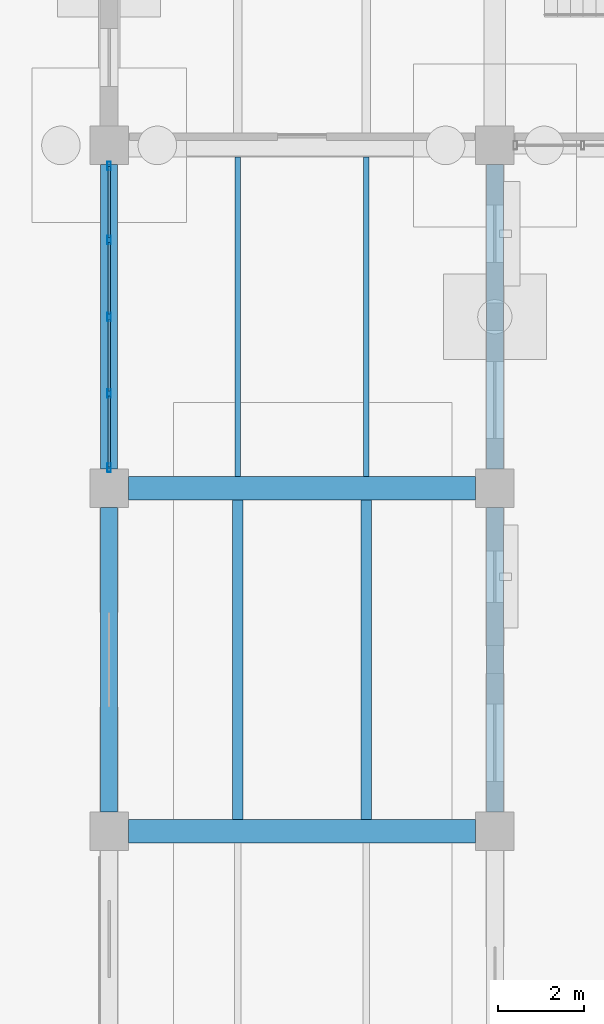
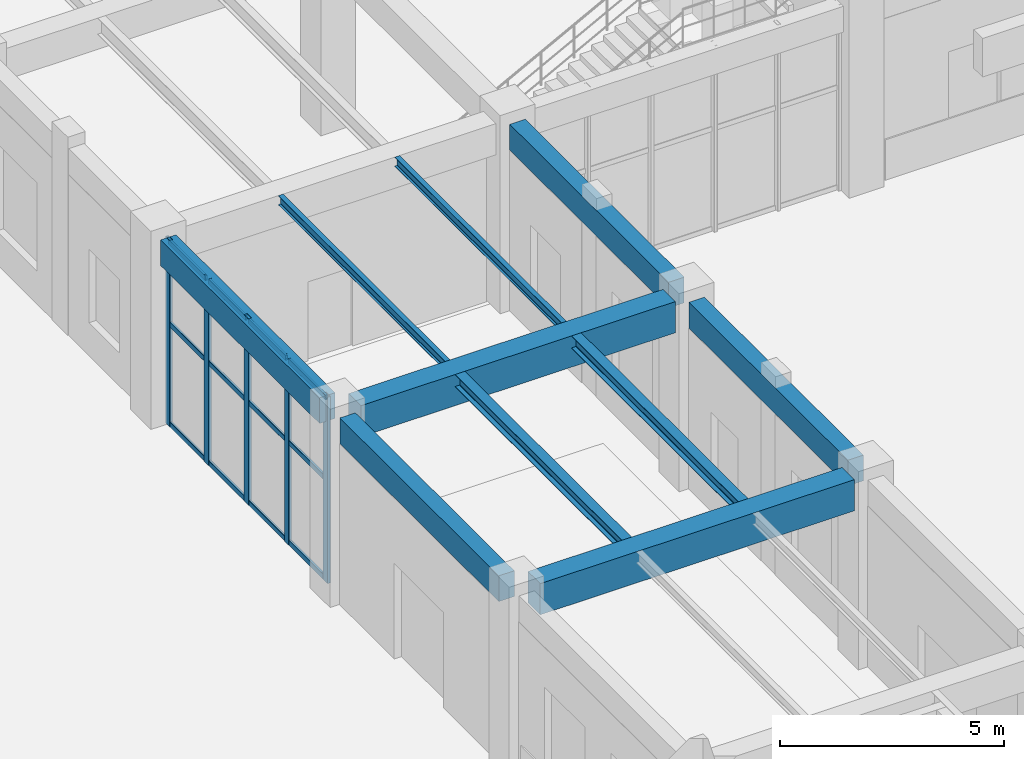
# One storey, part 47 of 121: 17 members, 10 beams, 1 element without a shape of its own.
"""IFC4 building model written with IfcOpenShell, lengths in metres."""

import ifcopenshell
import ifcopenshell.guid

model = None  # the IFC model being written
_history = None  # IfcOwnerHistory: only IFC2X3 demands one
_inside = {}  # id of a spatial element -> (the spatial element, [elements in it])
_under = {}  # id of a project, library or spatial element -> (it, [spatial elements below it])
_declared = {}  # id of a project -> (the project, [libraries it declares])
_typed = {}  # id of a type object -> (the type object, [elements of that type])
_made_of = {}  # id of a material, layer set ... -> (it, [elements and type objects made of it])


def new_model(schema):
    """Start an empty IFC model of exactly this schema.

    Asked for "IFC4X3", IfcOpenShell would pick the latest addendum, in which some entities
    have other attributes; the version numbers below select the first issue.
    IFC2X3 requires an IfcOwnerHistory on every rooted entity: one is made here for all.
    """
    global model, _history
    if schema == "IFC4X3":
        model = ifcopenshell.file(schema_version=(4, 3, 0, 0))
    else:
        model = ifcopenshell.file(schema=schema)
    _inside.clear()
    _under.clear()
    _declared.clear()
    _typed.clear()
    _made_of.clear()
    _history = None
    if model.schema == "IFC2X3":
        org = make("IfcOrganization", Name="unknown")
        user = make(
            "IfcPersonAndOrganization",
            ThePerson=make("IfcPerson", FamilyName="unknown"),
            TheOrganization=org,
        )
        app = make(
            "IfcApplication",
            ApplicationDeveloper=org,
            Version="unknown",
            ApplicationFullName="unknown",
            ApplicationIdentifier="unknown",
        )
        _history = make(
            "IfcOwnerHistory",
            OwningUser=user,
            OwningApplication=app,
            ChangeAction="ADDED",
            CreationDate=0,
        )
    return model


def make(cls, **values):
    """One entity of the class cls with the attributes given. An attribute that is None is left unset."""
    return model.create_entity(
        cls, **{name: value for name, value in values.items() if value is not None}
    )


def rooted(cls, **values):
    """An entity with a GlobalId (a new one), such as an element, a storey or a relation."""
    return make(cls, GlobalId=ifcopenshell.guid.new(), OwnerHistory=_history, **values)


def si_unit(unit_type, name, prefix=None):
    """IfcSIUnit, for example si_unit("LENGTHUNIT", "METRE", prefix="MILLI")."""
    return make("IfcSIUnit", UnitType=unit_type, Prefix=prefix, Name=name)


def derived_unit(unit_type, elements):
    """IfcDerivedUnit: a product of units, each with its exponent."""
    return make(
        "IfcDerivedUnit",
        Elements=[
            make("IfcDerivedUnitElement", Unit=unit, Exponent=power)
            for unit, power in elements
        ],
        UnitType=unit_type,
    )


def assignment(units):
    """IfcUnitAssignment: the units of a project."""
    return None if units is None else make("IfcUnitAssignment", Units=units)


def point(xyz):
    """IfcCartesianPoint."""
    return None if xyz is None else make("IfcCartesianPoint", Coordinates=xyz)


def direction(xyz):
    """IfcDirection."""
    return None if xyz is None else make("IfcDirection", DirectionRatios=xyz)


def frame(location, z_axis=None, x_axis=None):
    """IfcAxis2Placement3D, a coordinate frame: its origin and axes. An axis left out is left unset."""
    return make(
        "IfcAxis2Placement3D",
        Location=point(location),
        Axis=direction(z_axis),
        RefDirection=direction(x_axis),
    )


def frame_2d(location, x_axis=None):
    """IfcAxis2Placement2D, a coordinate frame in the plane: its origin and x axis."""
    return make(
        "IfcAxis2Placement2D", Location=point(location), RefDirection=direction(x_axis)
    )


def origin():
    """The frame at (0, 0, 0) with its axes left unset."""
    return frame((0.0, 0.0, 0.0))


def origin_2d():
    """The frame at (0, 0) in the plane with its x axis left unset."""
    return frame_2d((0.0, 0.0))


def place(relative_to, where):
    """IfcLocalPlacement: puts the frame where relative to a parent placement (None: the world)."""
    return make(
        "IfcLocalPlacement", PlacementRelTo=relative_to, RelativePlacement=where
    )


def context(
    kind, dimensions, precision=None, world=None, true_north=None, identifier=None
):
    """IfcGeometricRepresentationContext, for example the 3D "Model" context."""
    return make(
        "IfcGeometricRepresentationContext",
        ContextIdentifier=identifier,
        ContextType=kind,
        CoordinateSpaceDimension=dimensions,
        Precision=precision,
        WorldCoordinateSystem=world,
        TrueNorth=true_north,
    )


def subcontext(parent, identifier, kind, view, scale=None):
    """IfcGeometricRepresentationSubContext, for example "Body" below "Model"."""
    return make(
        "IfcGeometricRepresentationSubContext",
        ContextIdentifier=identifier,
        ContextType=kind,
        ParentContext=parent,
        TargetScale=scale,
        TargetView=view,
    )


def project(units=None, contexts=None):
    """IfcProject with its units and contexts."""
    return rooted(
        "IfcProject",
        Name="project",
        RepresentationContexts=contexts,
        UnitsInContext=assignment(units),
    )


def spatial(cls, under=None, at=None, **own):
    """A site, building, storey or space (cls), placed at a placement, below another one or the project."""
    s = rooted(cls, ObjectPlacement=at, **own)
    if under is not None:
        _under.setdefault(under.id(), (under, []))[1].append(s)
    return s


def profile(cls, at=None, kind="AREA", **sizes):
    """A parametric profile (cls). Its sizes go by their IFC names, for example OverallWidth=200.0."""
    return make(cls, ProfileType=kind, Position=at, **sizes)


def rectangle(**sizes):
    """IfcRectangleProfileDef."""
    return profile("IfcRectangleProfileDef", **sizes)


def hollow_rectangle(**sizes):
    """IfcRectangleHollowProfileDef."""
    return profile("IfcRectangleHollowProfileDef", **sizes)


def i_section(**sizes):
    """IfcIShapeProfileDef."""
    return profile("IfcIShapeProfileDef", **sizes)


def extrude(swept, where, along, depth):
    """IfcExtrudedAreaSolid: the profile swept, set in the frame where, extruded along a direction by depth."""
    return make(
        "IfcExtrudedAreaSolid",
        SweptArea=swept,
        Position=where,
        ExtrudedDirection=direction(along),
        Depth=depth,
    )


def shape(context_of_items, identifier, shape_type, items):
    """IfcShapeRepresentation: the items that make up one representation, for example the "Body"."""
    return make(
        "IfcShapeRepresentation",
        ContextOfItems=context_of_items,
        RepresentationIdentifier=identifier,
        RepresentationType=shape_type,
        Items=items,
    )


def material(Name=None, Category=None):
    """IfcMaterial."""
    return make("IfcMaterial", Name=Name, Category=Category)


def material_profile(
    of_material, cross_section, Name=None, Category=None, Priority=None
):
    """IfcMaterialProfile: a cross section and its material."""
    return make(
        "IfcMaterialProfile",
        Name=Name,
        Material=of_material,
        Profile=cross_section,
        Priority=Priority,
        Category=Category,
    )


def profile_set(profiles, Name=None, composite=None):
    """IfcMaterialProfileSet."""
    return make(
        "IfcMaterialProfileSet",
        Name=Name,
        MaterialProfiles=profiles,
        CompositeProfile=composite,
    )


def made_of(thing, what):
    """Note that an element or type object is made of a material, layer set ...; save() writes the relation."""
    if what is not None:
        _made_of.setdefault(what.id(), (what, []))[1].append(thing)
    return thing


def type_object(cls, material=None, **own):
    """A type object (cls), such as IfcWallType, which elements share."""
    return made_of(rooted(cls, **own), material)


def element(
    cls,
    number,
    at=None,
    inside=None,
    cuts=None,
    type_object=None,
    material=None,
    context=None,
    identifier="Body",
    shape_type=None,
    held_by="IfcProductDefinitionShape",
    body=None,
    shapes=None,
    **own,
):
    """One element of the class cls, such as IfcWall. Its Tag is "e" and its number.

    at: its placement. inside: the storey or other place that contains it. cuts: it is an
    opening in that element (IfcRelVoidsElement). A single representation is given by context,
    identifier, shape_type and body (its items); several are given by shapes. held_by: the class
    of the entity that holds the representations. save() writes the other relations.
    """
    e = rooted(cls, Tag="e%d" % number, ObjectPlacement=at, **own)
    if body is not None:
        shapes = [shape(context, identifier, shape_type, body)]
    if shapes is not None:
        e.Representation = make(held_by, Representations=shapes)
    if inside is not None:
        _inside.setdefault(inside.id(), (inside, []))[1].append(e)
    if cuts is not None:
        rooted(
            "IfcRelVoidsElement", RelatingBuildingElement=cuts, RelatedOpeningElement=e
        )
    if type_object is not None:
        _typed.setdefault(type_object.id(), (type_object, []))[1].append(e)
    return made_of(e, material)


def aggregate(whole, parts):
    """IfcRelAggregates: a whole, such as a stair, and the parts it consists of."""
    return rooted("IfcRelAggregates", RelatingObject=whole, RelatedObjects=parts)


def save(model, path):
    """Write the relations noted so far, then the file.

    IfcRelAggregates (storeys below a building ...), IfcRelContainedInSpatialStructure (elements
    in a storey), IfcRelDefinesByType, IfcRelAssociatesMaterial and IfcRelDeclares: one each for
    every whole, place, type object, material and project.
    """
    for whole, parts in _under.values():
        aggregate(whole, parts)
    for where, things in _inside.values():
        rooted(
            "IfcRelContainedInSpatialStructure",
            RelatedElements=things,
            RelatingStructure=where,
        )
    for kind, things in _typed.values():
        rooted("IfcRelDefinesByType", RelatedObjects=things, RelatingType=kind)
    for what, things in _made_of.values():
        rooted("IfcRelAssociatesMaterial", RelatedObjects=things, RelatingMaterial=what)
    for by, libraries in _declared.values():
        rooted("IfcRelDeclares", RelatingContext=by, RelatedDefinitions=libraries)
    model.write(path)


model = new_model("IFC4")

# Units and contexts
model_context = context("Model", 3, precision=1e-05, world=origin(), true_north=direction((0.0, 1.0)))
body_context = subcontext(model_context, "Body", "Model", "MODEL_VIEW")
ifc_project = project(units=[si_unit("LENGTHUNIT", "METRE"), si_unit("AREAUNIT", "SQUARE_METRE"), si_unit("VOLUMEUNIT", "CUBIC_METRE"), si_unit("PLANEANGLEUNIT", "RADIAN"), si_unit("MASSUNIT", "GRAM", prefix="KILO"), derived_unit("THERMALTRANSMITTANCEUNIT", [(si_unit("MASSUNIT", "GRAM", prefix="KILO"), 1), (si_unit("TIMEUNIT", "SECOND"), -3), (si_unit("THERMODYNAMICTEMPERATUREUNIT", "KELVIN"), -1)])], contexts=[model_context])

# Site, building, storey
site_placement = place(None, origin())
site = spatial("IfcSite", under=ifc_project, at=site_placement, CompositionType="ELEMENT")
building_placement = place(site_placement, origin())
building = spatial("IfcBuilding", under=site, at=building_placement, Name="Zhenchuan Archway Interchange", CompositionType="ELEMENT")
storey_placement = place(building_placement, origin())
storey = spatial("IfcBuildingStorey", under=building, at=storey_placement, Name="L00", CompositionType="ELEMENT", Elevation=0.0)

# Beams
ifc_material_1 = material(Name="Concrete C40", Category="concrete")
ifc_material_profile_1 = material_profile(ifc_material_1, rectangle(XDim=0.550048828125, YDim=0.85009765625, at=origin_2d()), Name="RC 550x850")
ifc_profile_set_1 = profile_set([ifc_material_profile_1], Name="Concrete C40")
beam_type_1 = type_object("IfcBeamType", Name="BM_RC_550x850", PredefinedType="BEAM", material=ifc_profile_set_1)
for number, where, z_axis, x_axis, name in (
    (1, (99.449951171875, 72.0, 4.655029296875), (1.0, 0.0, 0.0), (0.0, 1.0, 0.0), "Beam K:12-13 (L00)"),
    (2, (99.449951171875, 80.0, 4.655029296875), (1.0, 0.0, 0.0), (0.0, 1.0, 0.0), "Beam L:12-13 (L00)"),
):
    element("IfcBeam", number, at=place(storey_placement, frame(where, z_axis=z_axis, x_axis=x_axis)), inside=storey, type_object=beam_type_1, Name=name, PredefinedType="BEAM", context=body_context, shape_type="SweptSolid", body=[
        extrude(rectangle(XDim=0.550048828125, YDim=0.85009765625, at=origin_2d()), origin(), (0.0, 0.0, 1.0), 8.10009765625),
    ])

# Curtain wall, members
ifc_material_2 = material(Name="Anodised Aluminium", Category="aluminium")
curtain_wall_type = type_object("IfcCurtainWallType", Name="CW_UNIT_4", PredefinedType="NOTDEFINED", material=ifc_material_2)
curtain_wall_placement = place(storey_placement, origin())
curtain_wall = element("IfcCurtainWall", 3, at=curtain_wall_placement, inside=storey, type_object=curtain_wall_type, Name="Unitised curtain wall CW:L00:019", PredefinedType="NOTDEFINED")
ifc_material_profile_2 = material_profile(ifc_material_2, hollow_rectangle(XDim=0.080078125, YDim=0.199951171875, WallThickness=0.00439453125, InnerFilletRadius=0.00439453125, OuterFilletRadius=0.009033203125, at=origin_2d()), Name="ALU 200x80x4.5")
ifc_profile_set_2 = profile_set([ifc_material_profile_2], Name="Anodised Aluminium")
member_type_1 = type_object("IfcMemberType", Name="CW_MUL_200", PredefinedType="MULLION", material=ifc_profile_set_2)
member_1_placement = place(storey_placement, frame((99.0, 80.47802734375, 0.0), z_axis=(0.0, 0.0, 1.0), x_axis=(1.0, 0.0, 0.0)))
member_1 = element("IfcMember", 4, at=member_1_placement, type_object=member_type_1, Name="CW:L00:019 mullion 0", PredefinedType="MULLION", context=body_context, shape_type="SweptSolid", body=[
    extrude(hollow_rectangle(XDim=0.080078125, YDim=0.199951171875, WallThickness=0.00439453125, InnerFilletRadius=0.00439453125, OuterFilletRadius=0.009033203125, at=origin_2d()), origin(), (0.0, 0.0, 1.0), 5.080078125),
])
member_2_placement = place(storey_placement, frame((99.0, 82.208984375, 0.0), z_axis=(0.0, 0.0, 1.0), x_axis=(1.0, 0.0, 0.0)))
member_2 = element("IfcMember", 5, at=member_2_placement, type_object=member_type_1, Name="CW:L00:019 mullion 1", PredefinedType="MULLION", context=body_context, shape_type="SweptSolid", body=[
    extrude(hollow_rectangle(XDim=0.080078125, YDim=0.199951171875, WallThickness=0.00439453125, InnerFilletRadius=0.00439453125, OuterFilletRadius=0.009033203125, at=origin_2d()), origin(), (0.0, 0.0, 1.0), 5.080078125),
])
member_3_placement = place(storey_placement, frame((99.0, 84.0, 0.0), z_axis=(0.0, 0.0, 1.0), x_axis=(1.0, 0.0, 0.0)))
member_3 = element("IfcMember", 6, at=member_3_placement, type_object=member_type_1, Name="CW:L00:019 mullion 2", PredefinedType="MULLION", context=body_context, shape_type="SweptSolid", body=[
    extrude(hollow_rectangle(XDim=0.080078125, YDim=0.199951171875, WallThickness=0.00439453125, InnerFilletRadius=0.00439453125, OuterFilletRadius=0.009033203125, at=origin_2d()), origin(), (0.0, 0.0, 1.0), 5.080078125),
])
member_4_placement = place(storey_placement, frame((99.0, 85.791015625, 0.0), z_axis=(0.0, 0.0, 1.0), x_axis=(1.0, 0.0, 0.0)))
member_4 = element("IfcMember", 7, at=member_4_placement, type_object=member_type_1, Name="CW:L00:019 mullion 3", PredefinedType="MULLION", context=body_context, shape_type="SweptSolid", body=[
    extrude(hollow_rectangle(XDim=0.080078125, YDim=0.199951171875, WallThickness=0.00439453125, InnerFilletRadius=0.00439453125, OuterFilletRadius=0.009033203125, at=origin_2d()), origin(), (0.0, 0.0, 1.0), 5.080078125),
])
member_5_placement = place(storey_placement, frame((99.0, 87.52197265625, 0.0), z_axis=(0.0, 0.0, 1.0), x_axis=(1.0, 0.0, 0.0)))
member_5 = element("IfcMember", 8, at=member_5_placement, type_object=member_type_1, Name="CW:L00:019 mullion 4", PredefinedType="MULLION", context=body_context, shape_type="SweptSolid", body=[
    extrude(hollow_rectangle(XDim=0.080078125, YDim=0.199951171875, WallThickness=0.00439453125, InnerFilletRadius=0.00439453125, OuterFilletRadius=0.009033203125, at=origin_2d()), origin(), (0.0, 0.0, 1.0), 5.080078125),
])
ifc_material_profile_3 = material_profile(ifc_material_2, hollow_rectangle(XDim=0.06005859375, YDim=0.139892578125, WallThickness=0.00341796875, InnerFilletRadius=0.00341796875, OuterFilletRadius=0.007080078125, at=origin_2d()), Name="ALU 140x60x3.5")
ifc_profile_set_3 = profile_set([ifc_material_profile_3], Name="Anodised Aluminium")
member_type_2 = type_object("IfcMemberType", Name="CW_TRN_140", PredefinedType="USERDEFINED", material=ifc_profile_set_3)
member_6_placement = place(storey_placement, frame((99.0, 80.498046875, 0.06005859375), z_axis=(0.0, 1.0, 0.0), x_axis=(-1.0, 0.0, 0.0)))
member_6 = element("IfcMember", 9, at=member_6_placement, type_object=member_type_2, Name="CW:L00:019 transom 0-1", ObjectType="TRANSOM", PredefinedType="USERDEFINED", context=body_context, shape_type="SweptSolid", body=[
    extrude(hollow_rectangle(XDim=0.06005859375, YDim=0.139892578125, WallThickness=0.00341796875, InnerFilletRadius=0.00341796875, OuterFilletRadius=0.007080078125, at=origin_2d()), origin(), (0.0, 0.0, 1.0), 1.65087890625),
])
member_7_placement = place(storey_placement, frame((99.0, 80.498046875, 2.782958984375), z_axis=(0.0, 1.0, 0.0), x_axis=(-1.0, 0.0, 0.0)))
member_7 = element("IfcMember", 10, at=member_7_placement, type_object=member_type_2, Name="CW:L00:019 transom 0-2", ObjectType="TRANSOM", PredefinedType="USERDEFINED", context=body_context, shape_type="SweptSolid", body=[
    extrude(hollow_rectangle(XDim=0.06005859375, YDim=0.139892578125, WallThickness=0.00341796875, InnerFilletRadius=0.00341796875, OuterFilletRadius=0.007080078125, at=origin_2d()), origin(), (0.0, 0.0, 1.0), 1.65087890625),
])
member_8_placement = place(storey_placement, frame((99.0, 80.498046875, 5.0), z_axis=(0.0, 1.0, 0.0), x_axis=(-1.0, 0.0, 0.0)))
member_8 = element("IfcMember", 11, at=member_8_placement, type_object=member_type_2, Name="CW:L00:019 transom 0-3", ObjectType="TRANSOM", PredefinedType="USERDEFINED", context=body_context, shape_type="SweptSolid", body=[
    extrude(hollow_rectangle(XDim=0.06005859375, YDim=0.139892578125, WallThickness=0.00341796875, InnerFilletRadius=0.00341796875, OuterFilletRadius=0.007080078125, at=origin_2d()), origin(), (0.0, 0.0, 1.0), 1.65087890625),
])
member_9_placement = place(storey_placement, frame((99.0, 82.26904296875, 0.06005859375), z_axis=(0.0, 1.0, 0.0), x_axis=(-1.0, 0.0, 0.0)))
member_9 = element("IfcMember", 12, at=member_9_placement, type_object=member_type_2, Name="CW:L00:019 transom 1-1", ObjectType="TRANSOM", PredefinedType="USERDEFINED", context=body_context, shape_type="SweptSolid", body=[
    extrude(hollow_rectangle(XDim=0.06005859375, YDim=0.139892578125, WallThickness=0.00341796875, InnerFilletRadius=0.00341796875, OuterFilletRadius=0.007080078125, at=origin_2d()), origin(), (0.0, 0.0, 1.0), 1.6708984375),
])
member_10_placement = place(storey_placement, frame((99.0, 82.26904296875, 2.782958984375), z_axis=(0.0, 1.0, 0.0), x_axis=(-1.0, 0.0, 0.0)))
member_10 = element("IfcMember", 13, at=member_10_placement, type_object=member_type_2, Name="CW:L00:019 transom 1-2", ObjectType="TRANSOM", PredefinedType="USERDEFINED", context=body_context, shape_type="SweptSolid", body=[
    extrude(hollow_rectangle(XDim=0.06005859375, YDim=0.139892578125, WallThickness=0.00341796875, InnerFilletRadius=0.00341796875, OuterFilletRadius=0.007080078125, at=origin_2d()), origin(), (0.0, 0.0, 1.0), 1.6708984375),
])
member_11_placement = place(storey_placement, frame((99.0, 82.26904296875, 5.0), z_axis=(0.0, 1.0, 0.0), x_axis=(-1.0, 0.0, 0.0)))
member_11 = element("IfcMember", 14, at=member_11_placement, type_object=member_type_2, Name="CW:L00:019 transom 1-3", ObjectType="TRANSOM", PredefinedType="USERDEFINED", context=body_context, shape_type="SweptSolid", body=[
    extrude(hollow_rectangle(XDim=0.06005859375, YDim=0.139892578125, WallThickness=0.00341796875, InnerFilletRadius=0.00341796875, OuterFilletRadius=0.007080078125, at=origin_2d()), origin(), (0.0, 0.0, 1.0), 1.6708984375),
])
member_12_placement = place(storey_placement, frame((99.0, 84.06005859375, 0.06005859375), z_axis=(0.0, 1.0, 0.0), x_axis=(-1.0, 0.0, 0.0)))
member_12 = element("IfcMember", 15, at=member_12_placement, type_object=member_type_2, Name="CW:L00:019 transom 2-1", ObjectType="TRANSOM", PredefinedType="USERDEFINED", context=body_context, shape_type="SweptSolid", body=[
    extrude(hollow_rectangle(XDim=0.06005859375, YDim=0.139892578125, WallThickness=0.00341796875, InnerFilletRadius=0.00341796875, OuterFilletRadius=0.007080078125, at=origin_2d()), origin(), (0.0, 0.0, 1.0), 1.6708984375),
])
member_13_placement = place(storey_placement, frame((99.0, 84.06005859375, 2.782958984375), z_axis=(0.0, 1.0, 0.0), x_axis=(-1.0, 0.0, 0.0)))
member_13 = element("IfcMember", 16, at=member_13_placement, type_object=member_type_2, Name="CW:L00:019 transom 2-2", ObjectType="TRANSOM", PredefinedType="USERDEFINED", context=body_context, shape_type="SweptSolid", body=[
    extrude(hollow_rectangle(XDim=0.06005859375, YDim=0.139892578125, WallThickness=0.00341796875, InnerFilletRadius=0.00341796875, OuterFilletRadius=0.007080078125, at=origin_2d()), origin(), (0.0, 0.0, 1.0), 1.6708984375),
])
member_14_placement = place(storey_placement, frame((99.0, 84.06005859375, 5.0), z_axis=(0.0, 1.0, 0.0), x_axis=(-1.0, 0.0, 0.0)))
member_14 = element("IfcMember", 17, at=member_14_placement, type_object=member_type_2, Name="CW:L00:019 transom 2-3", ObjectType="TRANSOM", PredefinedType="USERDEFINED", context=body_context, shape_type="SweptSolid", body=[
    extrude(hollow_rectangle(XDim=0.06005859375, YDim=0.139892578125, WallThickness=0.00341796875, InnerFilletRadius=0.00341796875, OuterFilletRadius=0.007080078125, at=origin_2d()), origin(), (0.0, 0.0, 1.0), 1.6708984375),
])
member_15_placement = place(storey_placement, frame((99.0, 85.85107421875, 0.06005859375), z_axis=(0.0, 1.0, 0.0), x_axis=(-1.0, 0.0, 0.0)))
member_15 = element("IfcMember", 18, at=member_15_placement, type_object=member_type_2, Name="CW:L00:019 transom 3-1", ObjectType="TRANSOM", PredefinedType="USERDEFINED", context=body_context, shape_type="SweptSolid", body=[
    extrude(hollow_rectangle(XDim=0.06005859375, YDim=0.139892578125, WallThickness=0.00341796875, InnerFilletRadius=0.00341796875, OuterFilletRadius=0.007080078125, at=origin_2d()), origin(), (0.0, 0.0, 1.0), 1.65087890625),
])
member_16_placement = place(storey_placement, frame((99.0, 85.85107421875, 2.782958984375), z_axis=(0.0, 1.0, 0.0), x_axis=(-1.0, 0.0, 0.0)))
member_16 = element("IfcMember", 19, at=member_16_placement, type_object=member_type_2, Name="CW:L00:019 transom 3-2", ObjectType="TRANSOM", PredefinedType="USERDEFINED", context=body_context, shape_type="SweptSolid", body=[
    extrude(hollow_rectangle(XDim=0.06005859375, YDim=0.139892578125, WallThickness=0.00341796875, InnerFilletRadius=0.00341796875, OuterFilletRadius=0.007080078125, at=origin_2d()), origin(), (0.0, 0.0, 1.0), 1.65087890625),
])
member_17_placement = place(storey_placement, frame((99.0, 85.85107421875, 5.0), z_axis=(0.0, 1.0, 0.0), x_axis=(-1.0, 0.0, 0.0)))
member_17 = element("IfcMember", 20, at=member_17_placement, type_object=member_type_2, Name="CW:L00:019 transom 3-3", ObjectType="TRANSOM", PredefinedType="USERDEFINED", context=body_context, shape_type="SweptSolid", body=[
    extrude(hollow_rectangle(XDim=0.06005859375, YDim=0.139892578125, WallThickness=0.00341796875, InnerFilletRadius=0.00341796875, OuterFilletRadius=0.007080078125, at=origin_2d()), origin(), (0.0, 0.0, 1.0), 1.65087890625),
])
aggregate(curtain_wall, [member_1, member_2, member_3, member_4, member_5, member_6, member_7, member_8, member_9, member_10, member_11, member_12, member_13, member_14, member_15, member_16, member_17])

# Beams
ifc_material_3 = material(Name="Steel Q355", Category="steel")
ifc_material_profile_4 = material_profile(ifc_material_3, i_section(OverallWidth=0.25, OverallDepth=0.340087890625, WebThickness=0.009033203125, FlangeThickness=0.013916015625, FilletRadius=0.01806640625, at=origin_2d()), Name="HM 340x250")
ifc_profile_set_4 = profile_set([ifc_material_profile_4], Name="Steel Q355")
beam_type_2 = type_object("IfcBeamType", Name="JST_STL_HM340", PredefinedType="JOIST", material=ifc_profile_set_4)
for number, where, z_axis, x_axis, name in (
    (21, (102.0, 72.27490234375, 4.909912109375), (0.0, 1.0, 0.0), (-1.0, 0.0, 0.0), "Secondary joist 12-13/K-L #1 (L00)"),
    (22, (105.0, 72.27490234375, 4.909912109375), (0.0, 1.0, 0.0), (-1.0, 0.0, 0.0), "Secondary joist 12-13/K-L #2 (L00)"),
):
    element("IfcBeam", number, at=place(storey_placement, frame(where, z_axis=z_axis, x_axis=x_axis)), inside=storey, type_object=beam_type_2, Name=name, PredefinedType="JOIST", context=body_context, shape_type="SweptSolid", body=[
        extrude(i_section(OverallWidth=0.25, OverallDepth=0.340087890625, WebThickness=0.009033203125, FlangeThickness=0.013916015625, FilletRadius=0.01806640625, at=origin_2d()), origin(), (0.0, 0.0, 1.0), 7.4501953125),
    ])
ifc_material_profile_5 = material_profile(ifc_material_3, i_section(OverallWidth=0.125, OverallDepth=0.25, WebThickness=0.006103515625, FlangeThickness=0.009033203125, FilletRadius=0.011962890625, at=origin_2d()), Name="HN 250x125")
ifc_profile_set_5 = profile_set([ifc_material_profile_5], Name="Steel Q355")
beam_type_3 = type_object("IfcBeamType", Name="JST_STL_HN250", PredefinedType="JOIST", material=ifc_profile_set_5)
for number, where, z_axis, x_axis, name in (
    (23, (102.0, 80.27490234375, 4.955078125), (0.0, 1.0, 0.0), (-1.0, 0.0, 0.0), "Secondary joist 12-13/L-M #1 (L00)"),
    (24, (105.0, 80.27490234375, 4.955078125), (0.0, 1.0, 0.0), (-1.0, 0.0, 0.0), "Secondary joist 12-13/L-M #2 (L00)"),
):
    element("IfcBeam", number, at=place(storey_placement, frame(where, z_axis=z_axis, x_axis=x_axis)), inside=storey, type_object=beam_type_3, Name=name, PredefinedType="JOIST", context=body_context, shape_type="SweptSolid", body=[
        extrude(i_section(OverallWidth=0.125, OverallDepth=0.25, WebThickness=0.006103515625, FlangeThickness=0.009033203125, FilletRadius=0.011962890625, at=origin_2d()), origin(), (0.0, 0.0, 1.0), 7.4501953125),
    ])
ifc_material_profile_6 = material_profile(ifc_material_1, rectangle(XDim=0.39990234375, YDim=0.699951171875, at=origin_2d()), Name="RC 400x700")
ifc_profile_set_6 = profile_set([ifc_material_profile_6], Name="Concrete C40")
beam_type_4 = type_object("IfcBeamType", Name="SP_RC_400x700", PredefinedType="SPANDREL", material=ifc_profile_set_6)
for number, where, z_axis, x_axis, name in (
    (25, (99.0, 72.449951171875, 4.72998046875), (0.0, 1.0, 0.0), (-1.0, 0.0, 0.0), "Beam 12:K-L (L00)"),
    (26, (99.0, 80.449951171875, 4.72998046875), (0.0, 1.0, 0.0), (-1.0, 0.0, 0.0), "Beam 12:L-M (L00)"),
    (27, (108.0, 72.449951171875, 4.72998046875), (0.0, 1.0, 0.0), (-1.0, 0.0, 0.0), "Beam 13:K-L (L00)"),
    (28, (108.0, 80.449951171875, 4.72998046875), (0.0, 1.0, 0.0), (-1.0, 0.0, 0.0), "Beam 13:L-M (L00)"),
):
    element("IfcBeam", number, at=place(storey_placement, frame(where, z_axis=z_axis, x_axis=x_axis)), inside=storey, type_object=beam_type_4, Name=name, PredefinedType="SPANDREL", context=body_context, shape_type="SweptSolid", body=[
        extrude(rectangle(XDim=0.39990234375, YDim=0.699951171875, at=origin_2d()), origin(), (0.0, 0.0, 1.0), 7.10009765625),
    ])

save(model, "model.ifc")
